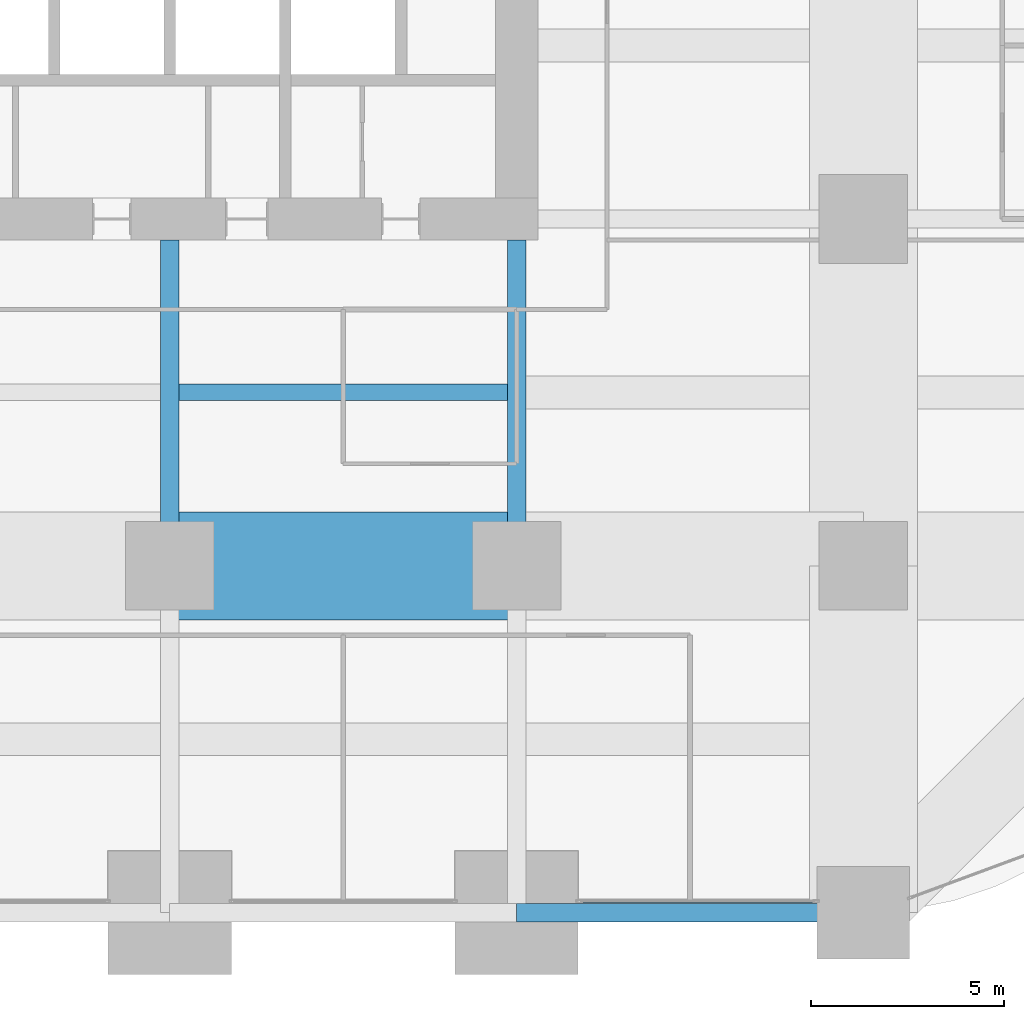
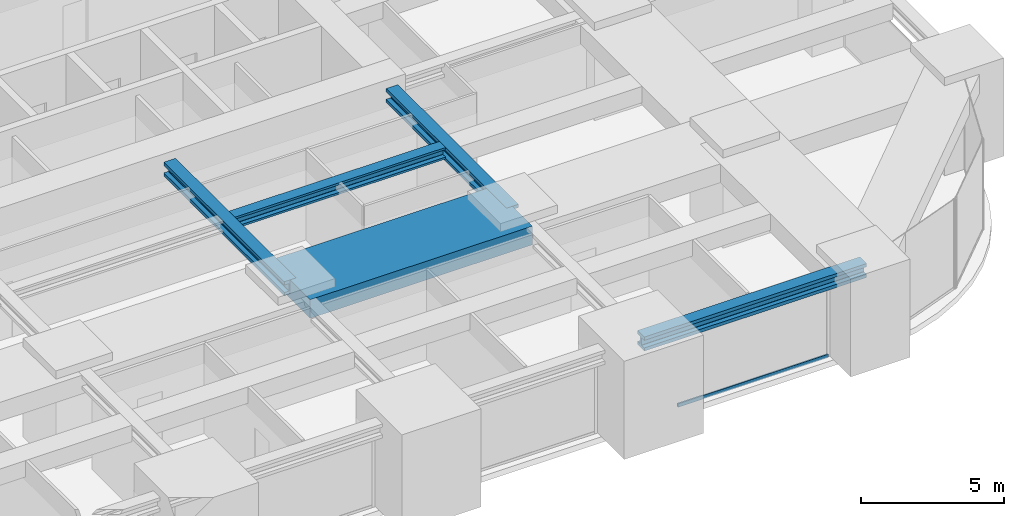
# One storey, part 13 of 42: 5 beams, 1 member, 1 element without a shape of its own.
"""IFC4 building model written with IfcOpenShell, lengths in metres."""

from ifc_helpers import new_model, si_unit, direction, frame, origin, origin_2d, place, context, subcontext, project, spatial, rectangle, hollow_rectangle, i_section, extrude, material, material_profile, profile_set, type_object, element, aggregate, save


model = new_model("IFC4")

# Units and contexts
model_context = context("Model", 3, precision=1e-05, world=origin(), true_north=direction((0.0, 1.0)))
body_context = subcontext(model_context, "Body", "Model", "MODEL_VIEW")
ifc_project = project(units=[si_unit("LENGTHUNIT", "METRE"), si_unit("AREAUNIT", "SQUARE_METRE"), si_unit("VOLUMEUNIT", "CUBIC_METRE"), si_unit("PLANEANGLEUNIT", "RADIAN"), si_unit("MASSUNIT", "GRAM", prefix="KILO")], contexts=[model_context])

# Site, building, storey
site_placement = place(None, origin())
site = spatial("IfcSite", under=ifc_project, at=site_placement, CompositionType="ELEMENT")
building_placement = place(site_placement, origin())
building = spatial("IfcBuilding", under=site, at=building_placement, Name="Zorevar Civic Tower", CompositionType="ELEMENT")
storey_placement = place(building_placement, frame((0.0, 0.0, 75.800048828125)))
storey = spatial("IfcBuildingStorey", under=building, at=storey_placement, Name="L18", CompositionType="ELEMENT", Elevation=75.800048828125)

# Beams
ifc_material_1 = material(Name="Concrete C50/60", Category="concrete")
ifc_material_profile_1 = material_profile(ifc_material_1, rectangle(XDim=2.800048828125, YDim=0.800048828125, at=origin_2d()), Name="RC 2800x800")
ifc_profile_set_1 = profile_set([ifc_material_profile_1], Name="Concrete C50/60")
beam_type_1 = type_object("IfcBeamType", Name="Beam RC 2800x800", PredefinedType="BEAM", material=ifc_profile_set_1)
beam_1_placement = place(storey_placement, frame((36.0, 9.0, 3.449951171875), z_axis=(1.0, 0.0, 0.0), x_axis=(0.0, 1.0, 0.0)))
element("IfcBeam", 1, at=beam_1_placement, inside=storey, type_object=beam_type_1, Name="Girder L19", PredefinedType="BEAM", context=body_context, shape_type="SweptSolid", body=[
    extrude(rectangle(XDim=2.800048828125, YDim=0.800048828125, at=origin_2d()), origin(), (0.0, 0.0, 1.0), 9.0),
])
ifc_material_2 = material(Name="Steel S460M (HISTAR 460)", Category="steel")
ifc_material_profile_2 = material_profile(ifc_material_2, i_section(OverallWidth=0.47607421875, OverallDepth=0.60009765625, WebThickness=0.10009765625, FlangeThickness=0.139892578125, FilletRadius=0.014892578125, at=origin_2d()), Name="HD 400x1299")
ifc_profile_set_2 = profile_set([ifc_material_profile_2], Name="Steel S460M (HISTAR 460)")
beam_type_2 = type_object("IfcBeamType", Name="Belt chord HD 400x1299", PredefinedType="BEAM", material=ifc_profile_set_2)
beam_2_placement = place(storey_placement, frame((45.0, 0.0, 3.550048828125), z_axis=(1.0, 0.0, 0.0), x_axis=(0.0, 1.0, 0.0)))
element("IfcBeam", 2, at=beam_2_placement, inside=storey, type_object=beam_type_2, Name="Belt chord L19", PredefinedType="BEAM", context=body_context, shape_type="SweptSolid", body=[
    extrude(i_section(OverallWidth=0.47607421875, OverallDepth=0.60009765625, WebThickness=0.10009765625, FlangeThickness=0.139892578125, FilletRadius=0.014892578125, at=origin_2d()), origin(), (0.0, 0.0, 1.0), 9.0),
])

# Curtain wall, member
ifc_material_3 = material(Name="Dark grey solar-control glass in black aluminium frame", Category="aluminium")
curtain_wall_type = type_object("IfcCurtainWallType", Name="Curtain wall CW2 low zone", PredefinedType="NOTDEFINED", material=ifc_material_3)
curtain_wall_placement = place(storey_placement, origin())
curtain_wall = element("IfcCurtainWall", 3, at=curtain_wall_placement, inside=storey, type_object=curtain_wall_type, Name="CW2 L18", PredefinedType="NOTDEFINED")
ifc_material_4 = material(Name="Aluminium, black anodised", Category="aluminium")
ifc_material_profile_3 = material_profile(ifc_material_4, hollow_rectangle(XDim=0.06005859375, YDim=0.14990234375, WallThickness=0.00390625, at=origin_2d()), Name="AL 150x60x4")
ifc_profile_set_3 = profile_set([ifc_material_profile_3], Name="Aluminium, black anodised")
member_type = type_object("IfcMemberType", Name="CW2 transom AL 150x60x4", PredefinedType="USERDEFINED", material=ifc_profile_set_3)
member_placement = place(storey_placement, frame((46.659912109375, 0.300048828125, 0.030029296875), z_axis=(1.0, 0.0, 0.0), x_axis=(0.0, 1.0, 0.0)))
member = element("IfcMember", 4, at=member_placement, type_object=member_type, Name="CW2 sill transom", ObjectType="TRANSOM", PredefinedType="USERDEFINED", context=body_context, shape_type="SweptSolid", body=[
    extrude(hollow_rectangle(XDim=0.06005859375, YDim=0.14990234375, WallThickness=0.00390625, at=origin_2d()), origin(), (0.0, 0.0, 1.0), 6.080078125),
])
aggregate(curtain_wall, [member])

# Beams
ifc_material_5 = material(Name="Steel S460M (HISTAR 460)", Category="steel")
ifc_material_profile_4 = material_profile(ifc_material_5, i_section(OverallWidth=0.431884765625, OverallDepth=0.498046875, WebThickness=0.0556640625, FlangeThickness=0.0888671875, FilletRadius=0.014892578125, at=origin_2d()), Name="HD 400x744")
ifc_profile_set_4 = profile_set([ifc_material_profile_4], Name="Steel S460M (HISTAR 460)")
beam_type_3 = type_object("IfcBeamType", Name="Core bay beam HD 400x744", PredefinedType="BEAM", material=ifc_profile_set_4)
beam_3_placement = place(storey_placement, frame((36.238037109375, 13.5, 3.600830078125), z_axis=(1.0, 0.0, 0.0), x_axis=(0.0, 1.0, 0.0)))
element("IfcBeam", 5, at=beam_3_placement, inside=storey, type_object=beam_type_3, Name="Secondary beam L19", PredefinedType="BEAM", context=body_context, shape_type="SweptSolid", body=[
    extrude(i_section(OverallWidth=0.431884765625, OverallDepth=0.498046875, WebThickness=0.0556640625, FlangeThickness=0.0888671875, FilletRadius=0.014892578125, at=origin_2d()), origin(), (0.0, 0.0, 1.0), 8.52392578125),
])
ifc_material_6 = material(Name="Steel S460M (HISTAR 460)", Category="steel")
ifc_material_profile_5 = material_profile(ifc_material_6, i_section(OverallWidth=0.47607421875, OverallDepth=0.60009765625, WebThickness=0.10009765625, FlangeThickness=0.139892578125, FilletRadius=0.014892578125, at=origin_2d()), Name="HD 400x1299")
ifc_profile_set_5 = profile_set([ifc_material_profile_5], Name="Steel S460M (HISTAR 460)")
beam_type_4 = type_object("IfcBeamType", Name="Outrigger chord HD 400x1299", PredefinedType="BEAM", material=ifc_profile_set_5)
for number, where, z_axis, x_axis, name in (
    (6, (36.0, 9.0, 3.550048828125), (0.0, 1.0, 0.0), (-1.0, 0.0, 0.0), "Outrigger chord L19"),
    (7, (45.0, 9.0, 3.550048828125), (0.0, 1.0, 0.0), (-1.0, 0.0, 0.0), "Outrigger chord L19"),
):
    element("IfcBeam", number, at=place(storey_placement, frame(where, z_axis=z_axis, x_axis=x_axis)), inside=storey, type_object=beam_type_4, Name=name, PredefinedType="BEAM", context=body_context, shape_type="SweptSolid", body=[
        extrude(i_section(OverallWidth=0.47607421875, OverallDepth=0.60009765625, WebThickness=0.10009765625, FlangeThickness=0.139892578125, FilletRadius=0.014892578125, at=origin_2d()), origin(), (0.0, 0.0, 1.0), 8.449951171875),
    ])

save(model, "model.ifc")
